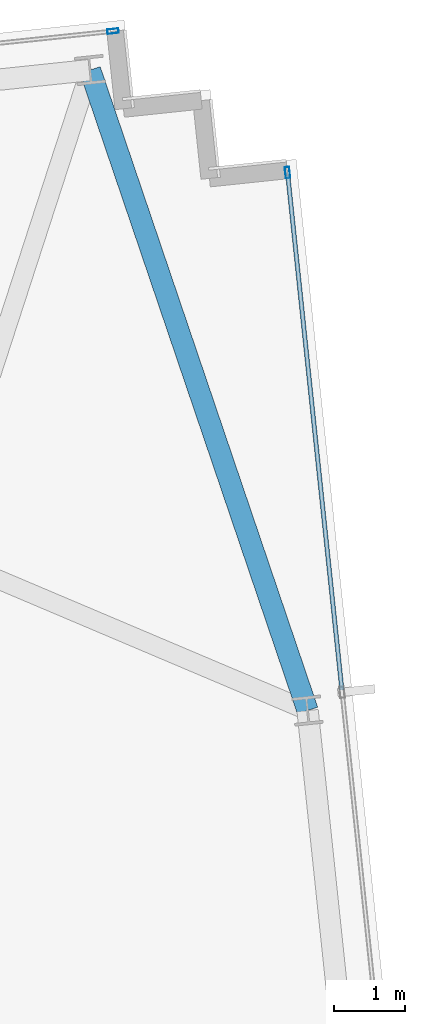
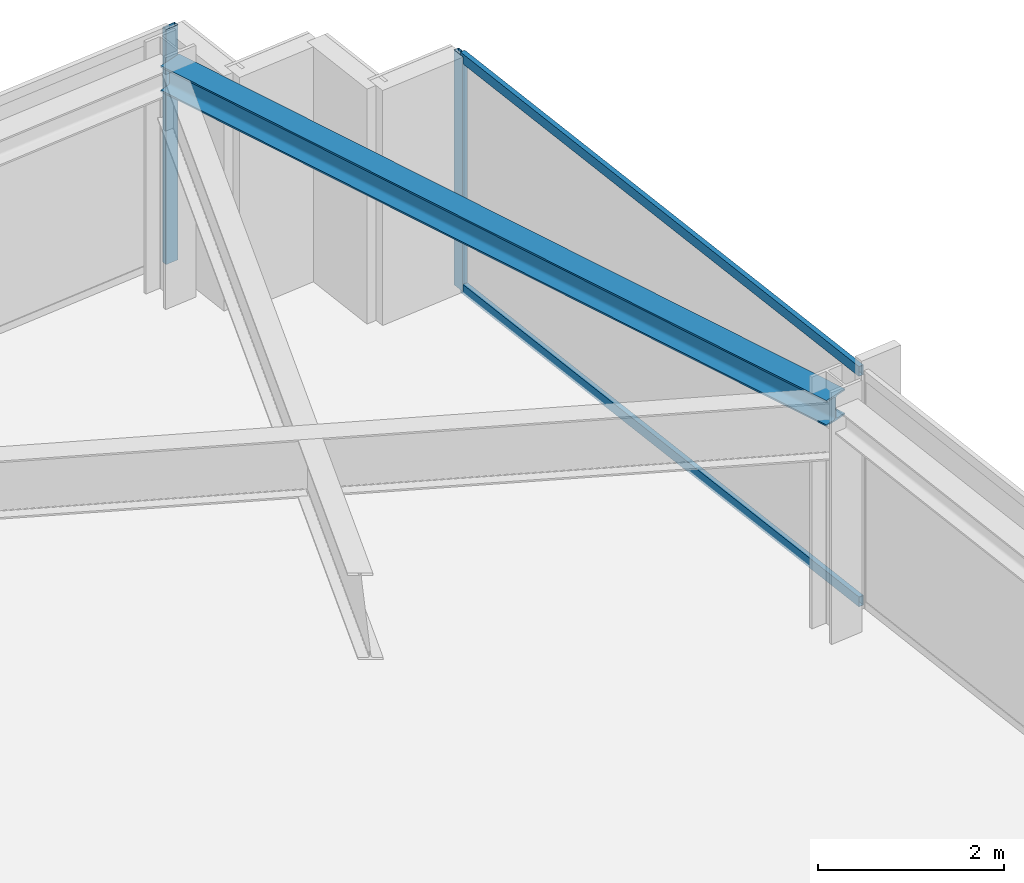
# One storey, part 25 of 33: 4 members, 1 beam, 2 elements without a shape of their own.
"""IFC4 building model written with IfcOpenShell, lengths in metres."""

from ifc_helpers import new_model, si_unit, direction, frame, origin, origin_2d, place, context, subcontext, project, spatial, hollow_rectangle, i_section, extrude, material, material_profile, profile_set, type_object, element, aggregate, save


model = new_model("IFC4")

# Units and contexts
model_context = context("Model", 3, precision=1e-05, world=origin(), true_north=direction((0.0, 1.0)))
body_context = subcontext(model_context, "Body", "Model", "MODEL_VIEW")
ifc_project = project(units=[si_unit("LENGTHUNIT", "METRE"), si_unit("AREAUNIT", "SQUARE_METRE"), si_unit("VOLUMEUNIT", "CUBIC_METRE"), si_unit("PLANEANGLEUNIT", "RADIAN"), si_unit("MASSUNIT", "GRAM", prefix="KILO")], contexts=[model_context])

# Site, building, storey
site_placement = place(None, origin())
site = spatial("IfcSite", under=ifc_project, at=site_placement, CompositionType="ELEMENT")
building_placement = place(site_placement, origin())
building = spatial("IfcBuilding", under=site, at=building_placement, Name="Yelkora Congress Tower", CompositionType="ELEMENT")
storey_placement = place(building_placement, frame((0.0, 0.0, 240.800048828125)))
storey = spatial("IfcBuildingStorey", under=building, at=storey_placement, Name="L67", CompositionType="ELEMENT", Elevation=240.800048828125)

# Beam
ifc_material_1 = material(Name="Steel S355J2", Category="steel")
ifc_material_profile_1 = material_profile(ifc_material_1, i_section(OverallWidth=0.300048828125, OverallDepth=0.340087890625, WebThickness=0.011962890625, FlangeThickness=0.021484375, FilletRadius=0.027099609375, at=origin_2d()), Name="HEB 340")
ifc_profile_set_1 = profile_set([ifc_material_profile_1], Name="Steel S355J2")
beam_type = type_object("IfcBeamType", Name="BM-SPAN-HEB340", PredefinedType="SPANDREL", material=ifc_profile_set_1)
beam_placement = place(storey_placement, frame((68.85400390625, 41.431884765625, 2.909912109375), z_axis=(-0.321575477611, 0.946883948644, 0.0), x_axis=(-0.946883948644, -0.321575477611, 0.0)))
element("IfcBeam", 1, at=beam_placement, inside=storey, type_object=beam_type, Name="L67 Perimeter Beam 12", PredefinedType="SPANDREL", context=body_context, shape_type="SweptSolid", body=[
    extrude(i_section(OverallWidth=0.300048828125, OverallDepth=0.340087890625, WebThickness=0.011962890625, FlangeThickness=0.021484375, FilletRadius=0.027099609375, at=origin_2d()), origin(), (0.0, 0.0, 1.0), 9.509765625),
])

# Curtain wall, member
ifc_material_2 = material(Name="Anodised aluminium and insulated glass", Category="aluminium")
curtain_wall_type = type_object("IfcCurtainWallType", Name="CW-SYS-B4", PredefinedType="NOTDEFINED", material=ifc_material_2)
curtain_wall_1_placement = place(storey_placement, origin())
curtain_wall_1 = element("IfcCurtainWall", 2, at=curtain_wall_1_placement, inside=storey, type_object=curtain_wall_type, Name="L67 Unitised Curtain Wall 10 (3)", PredefinedType="NOTDEFINED")
ifc_material_3 = material(Name="Anodised aluminium 6063-T6", Category="aluminium")
ifc_material_profile_2 = material_profile(ifc_material_3, hollow_rectangle(XDim=0.06494140625, YDim=0.159912109375, WallThickness=0.00390625, at=origin_2d()), Name="ALU 65x160x4")
ifc_profile_set_2 = profile_set([ifc_material_profile_2], Name="Anodised aluminium 6063-T6")
member_type_1 = type_object("IfcMemberType", Name="MEM-ML-B4", PredefinedType="MULLION", material=ifc_profile_set_2)
member_1_placement = place(storey_placement, frame((66.1181640625, 50.983154296875, 0.0), z_axis=(0.0, 0.0, 1.0), x_axis=(-0.104527724021, 0.994521973066, 0.0)))
member_1 = element("IfcMember", 3, at=member_1_placement, type_object=member_type_1, Name="CW-B4 mullion 7", PredefinedType="MULLION", context=body_context, shape_type="SweptSolid", body=[
    extrude(hollow_rectangle(XDim=0.06494140625, YDim=0.159912109375, WallThickness=0.00390625, at=origin_2d()), origin(), (0.0, 0.0, 1.0), 3.079833984375),
])
aggregate(curtain_wall_1, [member_1])

# Curtain wall, members
curtain_wall_2_placement = place(storey_placement, origin())
curtain_wall_2 = element("IfcCurtainWall", 4, at=curtain_wall_2_placement, inside=storey, type_object=curtain_wall_type, Name="L67 Unitised Curtain Wall 15", PredefinedType="NOTDEFINED")
member_2_placement = place(storey_placement, frame((68.57177734375, 48.996337890625, 0.0), z_axis=(0.0, 0.0, 1.0), x_axis=(0.994522182968, 0.104525726898, 0.0)))
member_2 = element("IfcMember", 5, at=member_2_placement, type_object=member_type_1, Name="CW-B4 mullion 1", PredefinedType="MULLION", context=body_context, shape_type="SweptSolid", body=[
    extrude(hollow_rectangle(XDim=0.06494140625, YDim=0.159912109375, WallThickness=0.00390625, at=origin_2d()), origin(), (0.0, 0.0, 1.0), 3.079833984375),
])
ifc_material_profile_3 = material_profile(ifc_material_3, hollow_rectangle(XDim=0.06005859375, YDim=0.1298828125, WallThickness=0.00390625, at=origin_2d()), Name="ALU 60x130x4")
ifc_profile_set_3 = profile_set([ifc_material_profile_3], Name="Anodised aluminium 6063-T6")
member_type_2 = type_object("IfcMemberType", Name="MEM-TR-B4", PredefinedType="USERDEFINED", material=ifc_profile_set_3)
member_3_placement = place(storey_placement, frame((68.5751953125, 48.9638671875, 0.030029296875), z_axis=(0.104531210832, -0.994521606584, 0.0), x_axis=(0.994521606584, 0.104531210832, 0.0)))
member_3 = element("IfcMember", 6, at=member_3_placement, type_object=member_type_2, Name="CW-B4 transom 1.1", ObjectType="TRANSOM", PredefinedType="USERDEFINED", context=body_context, shape_type="SweptSolid", body=[
    extrude(hollow_rectangle(XDim=0.06005859375, YDim=0.1298828125, WallThickness=0.00390625, at=origin_2d()), origin(), (0.0, 0.0, 1.0), 7.2822265625),
])
member_4_placement = place(storey_placement, frame((68.5751953125, 48.9638671875, 3.050048828125), z_axis=(0.104531210832, -0.994521606584, 0.0), x_axis=(0.994521606584, 0.104531210832, 0.0)))
member_4 = element("IfcMember", 7, at=member_4_placement, type_object=member_type_2, Name="CW-B4 transom 1.2", ObjectType="TRANSOM", PredefinedType="USERDEFINED", context=body_context, shape_type="SweptSolid", body=[
    extrude(hollow_rectangle(XDim=0.06005859375, YDim=0.1298828125, WallThickness=0.00390625, at=origin_2d()), origin(), (0.0, 0.0, 1.0), 7.2822265625),
])
aggregate(curtain_wall_2, [member_2, member_3, member_4])

save(model, "model.ifc")
